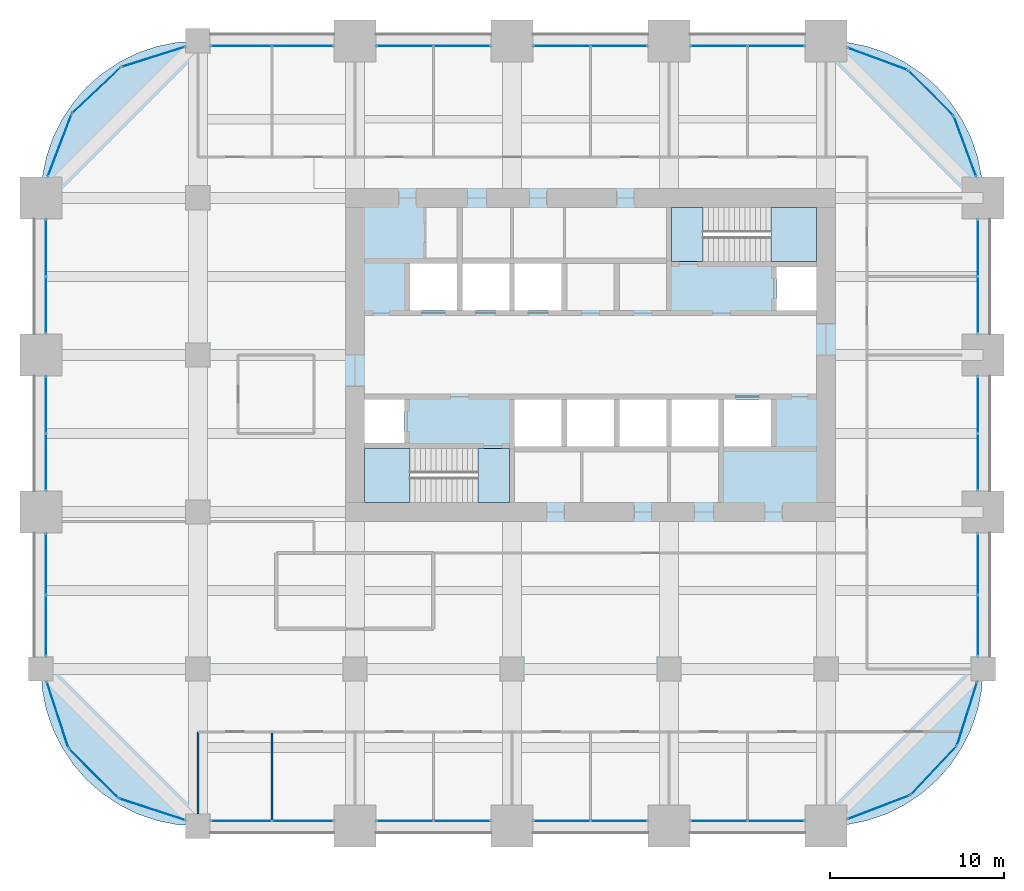
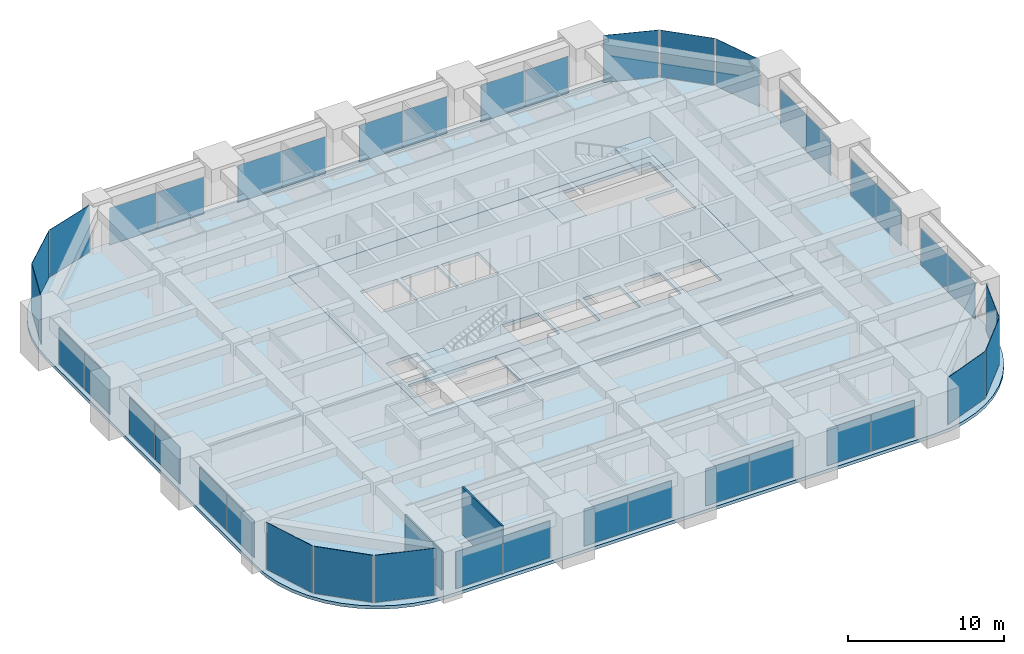
# One storey, part 28 of 33: 40 plates, 6 slabs, 2 walls, 28 elements without a shape of their own.
"""IFC4 building model written with IfcOpenShell, lengths in metres."""

from ifc_helpers import new_model, si_unit, direction, frame, frame_2d, origin, origin_2d, place, context, subcontext, project, spatial, polyline, rectangle, outline, extrude, material, layer, layer_set, type_object, element, aggregate, save


model = new_model("IFC4")

# Units and contexts
model_context = context("Model", 3, precision=1e-05, world=origin(), true_north=direction((0.0, 1.0)))
body_context = subcontext(model_context, "Body", "Model", "MODEL_VIEW")
ifc_project = project(units=[si_unit("LENGTHUNIT", "METRE"), si_unit("AREAUNIT", "SQUARE_METRE"), si_unit("VOLUMEUNIT", "CUBIC_METRE"), si_unit("PLANEANGLEUNIT", "RADIAN"), si_unit("MASSUNIT", "GRAM", prefix="KILO")], contexts=[model_context])

# Site, building, storey
site_placement = place(None, origin())
site = spatial("IfcSite", under=ifc_project, at=site_placement, CompositionType="ELEMENT")
building_placement = place(site_placement, origin())
building = spatial("IfcBuilding", under=site, at=building_placement, Name="Zorevar Civic Tower", CompositionType="ELEMENT")
storey_placement = place(building_placement, frame((0.0, 0.0, 210.199951171875)))
storey = spatial("IfcBuildingStorey", under=building, at=storey_placement, Name="L51", CompositionType="ELEMENT", Elevation=210.199951171875)

# Curtain wall, plates
ifc_material_1 = material(Name="Dark grey solar-control glass in black aluminium frame", Category="aluminium")
curtain_wall_type = type_object("IfcCurtainWallType", Name="Curtain wall CW4 high zone", PredefinedType="NOTDEFINED", material=ifc_material_1)
curtain_wall_1_placement = place(storey_placement, origin())
curtain_wall_1 = element("IfcCurtainWall", 1, at=curtain_wall_1_placement, inside=storey, type_object=curtain_wall_type, Name="CW4 L51", PredefinedType="NOTDEFINED")
ifc_material_2 = material(Name="Dark grey solar-control glass", Category="glass")
ifc_layer_1 = layer(ifc_material_2, 0.028076171875)
ifc_layer_set_1 = layer_set([ifc_layer_1], Name="CW4 panel 28")
plate_type = type_object("IfcPlateType", Name="CW4 panel 28", PredefinedType="CURTAIN_PANEL", material=ifc_layer_set_1)
plate_1_placement = place(storey_placement, frame((11.489990234375, 0.300048828125, 0.06005859375), z_axis=(0.0, 0.0, 1.0), x_axis=(1.0, 0.0, 0.0)))
plate_1 = element("IfcPlate", 2, at=plate_1_placement, type_object=plate_type, Name="CW4 panel 1.1", PredefinedType="CURTAIN_PANEL", context=body_context, shape_type="SweptSolid", body=[
    extrude(rectangle(XDim=3.4599609375, YDim=0.028076171875, at=origin_2d()), origin(), (0.0, 0.0, 1.0), 2.889892578125),
])
plate_2_placement = place(storey_placement, frame((15.010009765625, 0.300048828125, 0.06005859375), z_axis=(0.0, 0.0, 1.0), x_axis=(1.0, 0.0, 0.0)))
plate_2 = element("IfcPlate", 3, at=plate_2_placement, type_object=plate_type, Name="CW4 panel 2.1", PredefinedType="CURTAIN_PANEL", context=body_context, shape_type="SweptSolid", body=[
    extrude(rectangle(XDim=3.4599609375, YDim=0.028076171875, at=origin_2d()), origin(), (0.0, 0.0, 1.0), 2.889892578125),
])
aggregate(curtain_wall_1, [plate_1, plate_2])

curtain_wall_2_placement = place(storey_placement, origin())
curtain_wall_2 = element("IfcCurtainWall", 4, at=curtain_wall_2_placement, inside=storey, type_object=curtain_wall_type, Name="CW4 L51", PredefinedType="NOTDEFINED")
plate_3_placement = place(storey_placement, frame((11.489990234375, 44.699951171875, 0.06005859375), z_axis=(0.0, 0.0, 1.0), x_axis=(1.0, 0.0, 0.0)))
plate_3 = element("IfcPlate", 5, at=plate_3_placement, type_object=plate_type, Name="CW4 panel 1.1", PredefinedType="CURTAIN_PANEL", context=body_context, shape_type="SweptSolid", body=[
    extrude(rectangle(XDim=3.4599609375, YDim=0.028076171875, at=origin_2d()), origin(), (0.0, 0.0, 1.0), 2.889892578125),
])
plate_4_placement = place(storey_placement, frame((15.010009765625, 44.699951171875, 0.06005859375), z_axis=(0.0, 0.0, 1.0), x_axis=(1.0, 0.0, 0.0)))
plate_4 = element("IfcPlate", 6, at=plate_4_placement, type_object=plate_type, Name="CW4 panel 2.1", PredefinedType="CURTAIN_PANEL", context=body_context, shape_type="SweptSolid", body=[
    extrude(rectangle(XDim=3.4599609375, YDim=0.028076171875, at=origin_2d()), origin(), (0.0, 0.0, 1.0), 2.889892578125),
])
aggregate(curtain_wall_2, [plate_3, plate_4])

curtain_wall_3_placement = place(storey_placement, origin())
curtain_wall_3 = element("IfcCurtainWall", 7, at=curtain_wall_3_placement, inside=storey, type_object=curtain_wall_type, Name="CW4 L51", PredefinedType="NOTDEFINED")
plate_5_placement = place(storey_placement, frame((20.864990234375, 0.300048828125, 0.06005859375), z_axis=(0.0, 0.0, 1.0), x_axis=(1.0, 0.0, 0.0)))
plate_5 = element("IfcPlate", 8, at=plate_5_placement, type_object=plate_type, Name="CW4 panel 1.1", PredefinedType="CURTAIN_PANEL", context=body_context, shape_type="SweptSolid", body=[
    extrude(rectangle(XDim=3.2099609375, YDim=0.028076171875, at=origin_2d()), origin(), (0.0, 0.0, 1.0), 2.889892578125),
])
plate_6_placement = place(storey_placement, frame((24.135009765625, 0.300048828125, 0.06005859375), z_axis=(0.0, 0.0, 1.0), x_axis=(1.0, 0.0, 0.0)))
plate_6 = element("IfcPlate", 9, at=plate_6_placement, type_object=plate_type, Name="CW4 panel 2.1", PredefinedType="CURTAIN_PANEL", context=body_context, shape_type="SweptSolid", body=[
    extrude(rectangle(XDim=3.2099609375, YDim=0.028076171875, at=origin_2d()), origin(), (0.0, 0.0, 1.0), 2.889892578125),
])
aggregate(curtain_wall_3, [plate_5, plate_6])

curtain_wall_4_placement = place(storey_placement, origin())
curtain_wall_4 = element("IfcCurtainWall", 10, at=curtain_wall_4_placement, inside=storey, type_object=curtain_wall_type, Name="CW4 L51", PredefinedType="NOTDEFINED")
plate_7_placement = place(storey_placement, frame((20.864990234375, 44.699951171875, 0.06005859375), z_axis=(0.0, 0.0, 1.0), x_axis=(1.0, 0.0, 0.0)))
plate_7 = element("IfcPlate", 11, at=plate_7_placement, type_object=plate_type, Name="CW4 panel 1.1", PredefinedType="CURTAIN_PANEL", context=body_context, shape_type="SweptSolid", body=[
    extrude(rectangle(XDim=3.2099609375, YDim=0.028076171875, at=origin_2d()), origin(), (0.0, 0.0, 1.0), 2.889892578125),
])
plate_8_placement = place(storey_placement, frame((24.135009765625, 44.699951171875, 0.06005859375), z_axis=(0.0, 0.0, 1.0), x_axis=(1.0, 0.0, 0.0)))
plate_8 = element("IfcPlate", 12, at=plate_8_placement, type_object=plate_type, Name="CW4 panel 2.1", PredefinedType="CURTAIN_PANEL", context=body_context, shape_type="SweptSolid", body=[
    extrude(rectangle(XDim=3.2099609375, YDim=0.028076171875, at=origin_2d()), origin(), (0.0, 0.0, 1.0), 2.889892578125),
])
aggregate(curtain_wall_4, [plate_7, plate_8])

curtain_wall_5_placement = place(storey_placement, origin())
curtain_wall_5 = element("IfcCurtainWall", 13, at=curtain_wall_5_placement, inside=storey, type_object=curtain_wall_type, Name="CW4 L51", PredefinedType="NOTDEFINED")
plate_9_placement = place(storey_placement, frame((29.864990234375, 0.300048828125, 0.06005859375), z_axis=(0.0, 0.0, 1.0), x_axis=(1.0, 0.0, 0.0)))
plate_9 = element("IfcPlate", 14, at=plate_9_placement, type_object=plate_type, Name="CW4 panel 1.1", PredefinedType="CURTAIN_PANEL", context=body_context, shape_type="SweptSolid", body=[
    extrude(rectangle(XDim=3.2099609375, YDim=0.028076171875, at=origin_2d()), origin(), (0.0, 0.0, 1.0), 2.889892578125),
])
plate_10_placement = place(storey_placement, frame((33.135009765625, 0.300048828125, 0.06005859375), z_axis=(0.0, 0.0, 1.0), x_axis=(1.0, 0.0, 0.0)))
plate_10 = element("IfcPlate", 15, at=plate_10_placement, type_object=plate_type, Name="CW4 panel 2.1", PredefinedType="CURTAIN_PANEL", context=body_context, shape_type="SweptSolid", body=[
    extrude(rectangle(XDim=3.2099609375, YDim=0.028076171875, at=origin_2d()), origin(), (0.0, 0.0, 1.0), 2.889892578125),
])
aggregate(curtain_wall_5, [plate_9, plate_10])

curtain_wall_6_placement = place(storey_placement, origin())
curtain_wall_6 = element("IfcCurtainWall", 16, at=curtain_wall_6_placement, inside=storey, type_object=curtain_wall_type, Name="CW4 L51", PredefinedType="NOTDEFINED")
plate_11_placement = place(storey_placement, frame((29.864990234375, 44.699951171875, 0.06005859375), z_axis=(0.0, 0.0, 1.0), x_axis=(1.0, 0.0, 0.0)))
plate_11 = element("IfcPlate", 17, at=plate_11_placement, type_object=plate_type, Name="CW4 panel 1.1", PredefinedType="CURTAIN_PANEL", context=body_context, shape_type="SweptSolid", body=[
    extrude(rectangle(XDim=3.2099609375, YDim=0.028076171875, at=origin_2d()), origin(), (0.0, 0.0, 1.0), 2.889892578125),
])
plate_12_placement = place(storey_placement, frame((33.135009765625, 44.699951171875, 0.06005859375), z_axis=(0.0, 0.0, 1.0), x_axis=(1.0, 0.0, 0.0)))
plate_12 = element("IfcPlate", 18, at=plate_12_placement, type_object=plate_type, Name="CW4 panel 2.1", PredefinedType="CURTAIN_PANEL", context=body_context, shape_type="SweptSolid", body=[
    extrude(rectangle(XDim=3.2099609375, YDim=0.028076171875, at=origin_2d()), origin(), (0.0, 0.0, 1.0), 2.889892578125),
])
aggregate(curtain_wall_6, [plate_11, plate_12])

curtain_wall_7_placement = place(storey_placement, origin())
curtain_wall_7 = element("IfcCurtainWall", 19, at=curtain_wall_7_placement, inside=storey, type_object=curtain_wall_type, Name="CW4 L51", PredefinedType="NOTDEFINED")
plate_13_placement = place(storey_placement, frame((38.864990234375, 0.300048828125, 0.06005859375), z_axis=(0.0, 0.0, 1.0), x_axis=(1.0, 0.0, 0.0)))
plate_13 = element("IfcPlate", 20, at=plate_13_placement, type_object=plate_type, Name="CW4 panel 1.1", PredefinedType="CURTAIN_PANEL", context=body_context, shape_type="SweptSolid", body=[
    extrude(rectangle(XDim=3.2099609375, YDim=0.028076171875, at=origin_2d()), origin(), (0.0, 0.0, 1.0), 2.889892578125),
])
plate_14_placement = place(storey_placement, frame((42.135009765625, 0.300048828125, 0.06005859375), z_axis=(0.0, 0.0, 1.0), x_axis=(1.0, 0.0, 0.0)))
plate_14 = element("IfcPlate", 21, at=plate_14_placement, type_object=plate_type, Name="CW4 panel 2.1", PredefinedType="CURTAIN_PANEL", context=body_context, shape_type="SweptSolid", body=[
    extrude(rectangle(XDim=3.2099609375, YDim=0.028076171875, at=origin_2d()), origin(), (0.0, 0.0, 1.0), 2.889892578125),
])
aggregate(curtain_wall_7, [plate_13, plate_14])

curtain_wall_8_placement = place(storey_placement, origin())
curtain_wall_8 = element("IfcCurtainWall", 22, at=curtain_wall_8_placement, inside=storey, type_object=curtain_wall_type, Name="CW4 L51", PredefinedType="NOTDEFINED")
plate_15_placement = place(storey_placement, frame((38.864990234375, 44.699951171875, 0.06005859375), z_axis=(0.0, 0.0, 1.0), x_axis=(1.0, 0.0, 0.0)))
plate_15 = element("IfcPlate", 23, at=plate_15_placement, type_object=plate_type, Name="CW4 panel 1.1", PredefinedType="CURTAIN_PANEL", context=body_context, shape_type="SweptSolid", body=[
    extrude(rectangle(XDim=3.2099609375, YDim=0.028076171875, at=origin_2d()), origin(), (0.0, 0.0, 1.0), 2.889892578125),
])
plate_16_placement = place(storey_placement, frame((42.135009765625, 44.699951171875, 0.06005859375), z_axis=(0.0, 0.0, 1.0), x_axis=(1.0, 0.0, 0.0)))
plate_16 = element("IfcPlate", 24, at=plate_16_placement, type_object=plate_type, Name="CW4 panel 2.1", PredefinedType="CURTAIN_PANEL", context=body_context, shape_type="SweptSolid", body=[
    extrude(rectangle(XDim=3.2099609375, YDim=0.028076171875, at=origin_2d()), origin(), (0.0, 0.0, 1.0), 2.889892578125),
])
aggregate(curtain_wall_8, [plate_15, plate_16])

curtain_wall_9_placement = place(storey_placement, origin())
curtain_wall_9 = element("IfcCurtainWall", 25, at=curtain_wall_9_placement, inside=storey, type_object=curtain_wall_type, Name="CW4 L51", PredefinedType="NOTDEFINED")
plate_17_placement = place(storey_placement, frame((0.300048828125, 11.489990234375, 0.06005859375), z_axis=(0.0, 0.0, 1.0), x_axis=(0.0, 1.0, 0.0)))
plate_17 = element("IfcPlate", 26, at=plate_17_placement, type_object=plate_type, Name="CW4 panel 1.1", PredefinedType="CURTAIN_PANEL", context=body_context, shape_type="SweptSolid", body=[
    extrude(rectangle(XDim=3.4599609375, YDim=0.028076171875, at=origin_2d()), origin(), (0.0, 0.0, 1.0), 2.889892578125),
])
plate_18_placement = place(storey_placement, frame((0.300048828125, 15.010009765625, 0.06005859375), z_axis=(0.0, 0.0, 1.0), x_axis=(0.0, 1.0, 0.0)))
plate_18 = element("IfcPlate", 27, at=plate_18_placement, type_object=plate_type, Name="CW4 panel 2.1", PredefinedType="CURTAIN_PANEL", context=body_context, shape_type="SweptSolid", body=[
    extrude(rectangle(XDim=3.4599609375, YDim=0.028076171875, at=origin_2d()), origin(), (0.0, 0.0, 1.0), 2.889892578125),
])
aggregate(curtain_wall_9, [plate_17, plate_18])

curtain_wall_10_placement = place(storey_placement, origin())
curtain_wall_10 = element("IfcCurtainWall", 28, at=curtain_wall_10_placement, inside=storey, type_object=curtain_wall_type, Name="CW4 L51", PredefinedType="NOTDEFINED")
plate_19_placement = place(storey_placement, frame((53.699951171875, 11.489990234375, 0.06005859375), z_axis=(0.0, 0.0, 1.0), x_axis=(0.0, 1.0, 0.0)))
plate_19 = element("IfcPlate", 29, at=plate_19_placement, type_object=plate_type, Name="CW4 panel 1.1", PredefinedType="CURTAIN_PANEL", context=body_context, shape_type="SweptSolid", body=[
    extrude(rectangle(XDim=3.4599609375, YDim=0.028076171875, at=origin_2d()), origin(), (0.0, 0.0, 1.0), 2.889892578125),
])
plate_20_placement = place(storey_placement, frame((53.699951171875, 15.010009765625, 0.06005859375), z_axis=(0.0, 0.0, 1.0), x_axis=(0.0, 1.0, 0.0)))
plate_20 = element("IfcPlate", 30, at=plate_20_placement, type_object=plate_type, Name="CW4 panel 2.1", PredefinedType="CURTAIN_PANEL", context=body_context, shape_type="SweptSolid", body=[
    extrude(rectangle(XDim=3.4599609375, YDim=0.028076171875, at=origin_2d()), origin(), (0.0, 0.0, 1.0), 2.889892578125),
])
aggregate(curtain_wall_10, [plate_19, plate_20])

curtain_wall_11_placement = place(storey_placement, origin())
curtain_wall_11 = element("IfcCurtainWall", 31, at=curtain_wall_11_placement, inside=storey, type_object=curtain_wall_type, Name="CW4 L51", PredefinedType="NOTDEFINED")
plate_21_placement = place(storey_placement, frame((0.300048828125, 20.864990234375, 0.06005859375), z_axis=(0.0, 0.0, 1.0), x_axis=(0.0, 1.0, 0.0)))
plate_21 = element("IfcPlate", 32, at=plate_21_placement, type_object=plate_type, Name="CW4 panel 1.1", PredefinedType="CURTAIN_PANEL", context=body_context, shape_type="SweptSolid", body=[
    extrude(rectangle(XDim=3.2099609375, YDim=0.028076171875, at=origin_2d()), origin(), (0.0, 0.0, 1.0), 2.889892578125),
])
plate_22_placement = place(storey_placement, frame((0.300048828125, 24.135009765625, 0.06005859375), z_axis=(0.0, 0.0, 1.0), x_axis=(0.0, 1.0, 0.0)))
plate_22 = element("IfcPlate", 33, at=plate_22_placement, type_object=plate_type, Name="CW4 panel 2.1", PredefinedType="CURTAIN_PANEL", context=body_context, shape_type="SweptSolid", body=[
    extrude(rectangle(XDim=3.2099609375, YDim=0.028076171875, at=origin_2d()), origin(), (0.0, 0.0, 1.0), 2.889892578125),
])
aggregate(curtain_wall_11, [plate_21, plate_22])

curtain_wall_12_placement = place(storey_placement, origin())
curtain_wall_12 = element("IfcCurtainWall", 34, at=curtain_wall_12_placement, inside=storey, type_object=curtain_wall_type, Name="CW4 L51", PredefinedType="NOTDEFINED")
plate_23_placement = place(storey_placement, frame((53.699951171875, 20.864990234375, 0.06005859375), z_axis=(0.0, 0.0, 1.0), x_axis=(0.0, 1.0, 0.0)))
plate_23 = element("IfcPlate", 35, at=plate_23_placement, type_object=plate_type, Name="CW4 panel 1.1", PredefinedType="CURTAIN_PANEL", context=body_context, shape_type="SweptSolid", body=[
    extrude(rectangle(XDim=3.2099609375, YDim=0.028076171875, at=origin_2d()), origin(), (0.0, 0.0, 1.0), 2.889892578125),
])
plate_24_placement = place(storey_placement, frame((53.699951171875, 24.135009765625, 0.06005859375), z_axis=(0.0, 0.0, 1.0), x_axis=(0.0, 1.0, 0.0)))
plate_24 = element("IfcPlate", 36, at=plate_24_placement, type_object=plate_type, Name="CW4 panel 2.1", PredefinedType="CURTAIN_PANEL", context=body_context, shape_type="SweptSolid", body=[
    extrude(rectangle(XDim=3.2099609375, YDim=0.028076171875, at=origin_2d()), origin(), (0.0, 0.0, 1.0), 2.889892578125),
])
aggregate(curtain_wall_12, [plate_23, plate_24])

curtain_wall_13_placement = place(storey_placement, origin())
curtain_wall_13 = element("IfcCurtainWall", 37, at=curtain_wall_13_placement, inside=storey, type_object=curtain_wall_type, Name="CW4 L51", PredefinedType="NOTDEFINED")
plate_25_placement = place(storey_placement, frame((0.300048828125, 29.864990234375, 0.06005859375), z_axis=(0.0, 0.0, 1.0), x_axis=(0.0, 1.0, 0.0)))
plate_25 = element("IfcPlate", 38, at=plate_25_placement, type_object=plate_type, Name="CW4 panel 1.1", PredefinedType="CURTAIN_PANEL", context=body_context, shape_type="SweptSolid", body=[
    extrude(rectangle(XDim=3.2099609375, YDim=0.028076171875, at=origin_2d()), origin(), (0.0, 0.0, 1.0), 2.889892578125),
])
plate_26_placement = place(storey_placement, frame((0.300048828125, 33.135009765625, 0.06005859375), z_axis=(0.0, 0.0, 1.0), x_axis=(0.0, 1.0, 0.0)))
plate_26 = element("IfcPlate", 39, at=plate_26_placement, type_object=plate_type, Name="CW4 panel 2.1", PredefinedType="CURTAIN_PANEL", context=body_context, shape_type="SweptSolid", body=[
    extrude(rectangle(XDim=3.2099609375, YDim=0.028076171875, at=origin_2d()), origin(), (0.0, 0.0, 1.0), 2.889892578125),
])
aggregate(curtain_wall_13, [plate_25, plate_26])

curtain_wall_14_placement = place(storey_placement, origin())
curtain_wall_14 = element("IfcCurtainWall", 40, at=curtain_wall_14_placement, inside=storey, type_object=curtain_wall_type, Name="CW4 L51", PredefinedType="NOTDEFINED")
plate_27_placement = place(storey_placement, frame((53.699951171875, 29.864990234375, 0.06005859375), z_axis=(0.0, 0.0, 1.0), x_axis=(0.0, 1.0, 0.0)))
plate_27 = element("IfcPlate", 41, at=plate_27_placement, type_object=plate_type, Name="CW4 panel 1.1", PredefinedType="CURTAIN_PANEL", context=body_context, shape_type="SweptSolid", body=[
    extrude(rectangle(XDim=3.2099609375, YDim=0.028076171875, at=origin_2d()), origin(), (0.0, 0.0, 1.0), 2.889892578125),
])
plate_28_placement = place(storey_placement, frame((53.699951171875, 33.135009765625, 0.06005859375), z_axis=(0.0, 0.0, 1.0), x_axis=(0.0, 1.0, 0.0)))
plate_28 = element("IfcPlate", 42, at=plate_28_placement, type_object=plate_type, Name="CW4 panel 2.1", PredefinedType="CURTAIN_PANEL", context=body_context, shape_type="SweptSolid", body=[
    extrude(rectangle(XDim=3.2099609375, YDim=0.028076171875, at=origin_2d()), origin(), (0.0, 0.0, 1.0), 2.889892578125),
])
aggregate(curtain_wall_14, [plate_27, plate_28])

# Curtain wall, plate
curtain_wall_15_placement = place(storey_placement, origin())
curtain_wall_15 = element("IfcCurtainWall", 43, at=curtain_wall_15_placement, inside=storey, type_object=curtain_wall_type, Name="CW4 L51", PredefinedType="NOTDEFINED")
plate_29_placement = place(storey_placement, frame((48.0166015625, 1.07470703125, 0.06005859375), z_axis=(0.0, 0.0, 1.0), x_axis=(0.93458842801, 0.355730895803, 0.0)))
plate_29 = element("IfcPlate", 44, at=plate_29_placement, type_object=plate_type, Name="CW4 panel 1.1", PredefinedType="CURTAIN_PANEL", context=body_context, shape_type="SweptSolid", body=[
    extrude(rectangle(XDim=3.767333984375, YDim=0.028076171875, at=origin_2d()), origin(), (0.0, 0.0, 1.0), 3.68994140625),
])
aggregate(curtain_wall_15, [plate_29])

curtain_wall_16_placement = place(storey_placement, origin())
curtain_wall_16 = element("IfcCurtainWall", 45, at=curtain_wall_16_placement, inside=storey, type_object=curtain_wall_type, Name="CW4 L51", PredefinedType="NOTDEFINED")
plate_30_placement = place(storey_placement, frame((51.167236328125, 3.179443359375, 0.06005859375), z_axis=(0.0, 0.0, 1.0), x_axis=(0.686377907265, 0.727245053898, 0.0)))
plate_30 = element("IfcPlate", 46, at=plate_30_placement, type_object=plate_type, Name="CW4 panel 1.1", PredefinedType="CURTAIN_PANEL", context=body_context, shape_type="SweptSolid", body=[
    extrude(rectangle(XDim=3.767333984375, YDim=0.028076171875, at=origin_2d()), origin(), (0.0, 0.0, 1.0), 3.68994140625),
])
aggregate(curtain_wall_16, [plate_30])

curtain_wall_17_placement = place(storey_placement, origin())
curtain_wall_17 = element("IfcCurtainWall", 47, at=curtain_wall_17_placement, inside=storey, type_object=curtain_wall_type, Name="CW4 L51", PredefinedType="NOTDEFINED")
plate_31_placement = place(storey_placement, frame((53.08642578125, 6.446533203125, 0.06005859375), z_axis=(0.0, 0.0, 1.0), x_axis=(0.301108296077, 0.953589950678, 0.0)))
plate_31 = element("IfcPlate", 48, at=plate_31_placement, type_object=plate_type, Name="CW4 panel 1.1", PredefinedType="CURTAIN_PANEL", context=body_context, shape_type="SweptSolid", body=[
    extrude(rectangle(XDim=3.767333984375, YDim=0.028076171875, at=origin_2d()), origin(), (0.0, 0.0, 1.0), 3.68994140625),
])
aggregate(curtain_wall_17, [plate_31])

curtain_wall_18_placement = place(storey_placement, origin())
curtain_wall_18 = element("IfcCurtainWall", 49, at=curtain_wall_18_placement, inside=storey, type_object=curtain_wall_type, Name="CW4 L51", PredefinedType="NOTDEFINED")
plate_32_placement = place(storey_placement, frame((52.97119140625, 38.9462890625, 0.06005859375), z_axis=(0.0, 0.0, 1.0), x_axis=(-0.346704012033, 0.937974588163, 0.0)))
plate_32 = element("IfcPlate", 50, at=plate_32_placement, type_object=plate_type, Name="CW4 panel 1.1", PredefinedType="CURTAIN_PANEL", context=body_context, shape_type="SweptSolid", body=[
    extrude(rectangle(XDim=3.603759765625, YDim=0.028076171875, at=origin_2d()), origin(), (0.0, 0.0, 1.0), 3.68994140625),
])
aggregate(curtain_wall_18, [plate_32])

curtain_wall_19_placement = place(storey_placement, origin())
curtain_wall_19 = element("IfcCurtainWall", 51, at=curtain_wall_19_placement, inside=storey, type_object=curtain_wall_type, Name="CW4 L51", PredefinedType="NOTDEFINED")
plate_33_placement = place(storey_placement, frame((51.00927734375, 42.00927734375, 0.06005859375), z_axis=(0.0, 0.0, 1.0), x_axis=(-0.707106781187, 0.707106781187, 0.0)))
plate_33 = element("IfcPlate", 52, at=plate_33_placement, type_object=plate_type, Name="CW4 panel 1.1", PredefinedType="CURTAIN_PANEL", context=body_context, shape_type="SweptSolid", body=[
    extrude(rectangle(XDim=3.603759765625, YDim=0.028076171875, at=origin_2d()), origin(), (0.0, 0.0, 1.0), 3.68994140625),
])
aggregate(curtain_wall_19, [plate_33])

curtain_wall_20_placement = place(storey_placement, origin())
curtain_wall_20 = element("IfcCurtainWall", 53, at=curtain_wall_20_placement, inside=storey, type_object=curtain_wall_type, Name="CW4 L51", PredefinedType="NOTDEFINED")
plate_34_placement = place(storey_placement, frame((47.9462890625, 43.97119140625, 0.06005859375), z_axis=(0.0, 0.0, 1.0), x_axis=(-0.937974588163, 0.346704012033, 0.0)))
plate_34 = element("IfcPlate", 54, at=plate_34_placement, type_object=plate_type, Name="CW4 panel 1.1", PredefinedType="CURTAIN_PANEL", context=body_context, shape_type="SweptSolid", body=[
    extrude(rectangle(XDim=3.603759765625, YDim=0.028076171875, at=origin_2d()), origin(), (0.0, 0.0, 1.0), 3.68994140625),
])
aggregate(curtain_wall_20, [plate_34])

curtain_wall_21_placement = place(storey_placement, origin())
curtain_wall_21 = element("IfcCurtainWall", 55, at=curtain_wall_21_placement, inside=storey, type_object=curtain_wall_type, Name="CW4 L51", PredefinedType="NOTDEFINED")
plate_35_placement = place(storey_placement, frame((6.446533203125, 44.08642578125, 0.06005859375), z_axis=(0.0, 0.0, 1.0), x_axis=(-0.953589950678, -0.301108296077, 0.0)))
plate_35 = element("IfcPlate", 56, at=plate_35_placement, type_object=plate_type, Name="CW4 panel 1.1", PredefinedType="CURTAIN_PANEL", context=body_context, shape_type="SweptSolid", body=[
    extrude(rectangle(XDim=3.767333984375, YDim=0.028076171875, at=origin_2d()), origin(), (0.0, 0.0, 1.0), 3.68994140625),
])
aggregate(curtain_wall_21, [plate_35])

curtain_wall_22_placement = place(storey_placement, origin())
curtain_wall_22 = element("IfcCurtainWall", 57, at=curtain_wall_22_placement, inside=storey, type_object=curtain_wall_type, Name="CW4 L51", PredefinedType="NOTDEFINED")
plate_36_placement = place(storey_placement, frame((3.179443359375, 42.167236328125, 0.06005859375), z_axis=(0.0, 0.0, 1.0), x_axis=(-0.727245053898, -0.686377907265, 0.0)))
plate_36 = element("IfcPlate", 58, at=plate_36_placement, type_object=plate_type, Name="CW4 panel 1.1", PredefinedType="CURTAIN_PANEL", context=body_context, shape_type="SweptSolid", body=[
    extrude(rectangle(XDim=3.767333984375, YDim=0.028076171875, at=origin_2d()), origin(), (0.0, 0.0, 1.0), 3.68994140625),
])
aggregate(curtain_wall_22, [plate_36])

curtain_wall_23_placement = place(storey_placement, origin())
curtain_wall_23 = element("IfcCurtainWall", 59, at=curtain_wall_23_placement, inside=storey, type_object=curtain_wall_type, Name="CW4 L51", PredefinedType="NOTDEFINED")
plate_37_placement = place(storey_placement, frame((1.07470703125, 39.0166015625, 0.06005859375), z_axis=(0.0, 0.0, 1.0), x_axis=(-0.355730895803, -0.93458842801, 0.0)))
plate_37 = element("IfcPlate", 60, at=plate_37_placement, type_object=plate_type, Name="CW4 panel 1.1", PredefinedType="CURTAIN_PANEL", context=body_context, shape_type="SweptSolid", body=[
    extrude(rectangle(XDim=3.767333984375, YDim=0.028076171875, at=origin_2d()), origin(), (0.0, 0.0, 1.0), 3.68994140625),
])
aggregate(curtain_wall_23, [plate_37])

curtain_wall_24_placement = place(storey_placement, origin())
curtain_wall_24 = element("IfcCurtainWall", 61, at=curtain_wall_24_placement, inside=storey, type_object=curtain_wall_type, Name="CW4 L51", PredefinedType="NOTDEFINED")
plate_38_placement = place(storey_placement, frame((0.956787109375, 6.374755859375, 0.06005859375), z_axis=(0.0, 0.0, 1.0), x_axis=(0.310281419775, -0.950644749916, 0.0)))
plate_38 = element("IfcPlate", 62, at=plate_38_placement, type_object=plate_type, Name="CW4 panel 1.1", PredefinedType="CURTAIN_PANEL", context=body_context, shape_type="SweptSolid", body=[
    extrude(rectangle(XDim=3.9306640625, YDim=0.028076171875, at=origin_2d()), origin(), (0.0, 0.0, 1.0), 3.68994140625),
])
aggregate(curtain_wall_24, [plate_38])

curtain_wall_25_placement = place(storey_placement, origin())
curtain_wall_25 = element("IfcCurtainWall", 63, at=curtain_wall_25_placement, inside=storey, type_object=curtain_wall_type, Name="CW4 L51", PredefinedType="NOTDEFINED")
plate_39_placement = place(storey_placement, frame((3.01708984375, 3.01708984375, 0.06005859375), z_axis=(0.0, 0.0, 1.0), x_axis=(0.707106781187, -0.707106781187, 0.0)))
plate_39 = element("IfcPlate", 64, at=plate_39_placement, type_object=plate_type, Name="CW4 panel 1.1", PredefinedType="CURTAIN_PANEL", context=body_context, shape_type="SweptSolid", body=[
    extrude(rectangle(XDim=3.9306640625, YDim=0.028076171875, at=origin_2d()), origin(), (0.0, 0.0, 1.0), 3.68994140625),
])
aggregate(curtain_wall_25, [plate_39])

curtain_wall_26_placement = place(storey_placement, origin())
curtain_wall_26 = element("IfcCurtainWall", 65, at=curtain_wall_26_placement, inside=storey, type_object=curtain_wall_type, Name="CW4 L51", PredefinedType="NOTDEFINED")
plate_40_placement = place(storey_placement, frame((6.374755859375, 0.956787109375, 0.06005859375), z_axis=(0.0, 0.0, 1.0), x_axis=(0.950644749916, -0.310281419775, 0.0)))
plate_40 = element("IfcPlate", 66, at=plate_40_placement, type_object=plate_type, Name="CW4 panel 1.1", PredefinedType="CURTAIN_PANEL", context=body_context, shape_type="SweptSolid", body=[
    extrude(rectangle(XDim=3.9306640625, YDim=0.028076171875, at=origin_2d()), origin(), (0.0, 0.0, 1.0), 3.68994140625),
])
aggregate(curtain_wall_26, [plate_40])

# Slabs
ifc_material_3 = material(Name="Concrete C40/50", Category="concrete")
ifc_layer_2 = layer(ifc_material_3, 0.25)
ifc_layer_set_2 = layer_set([ifc_layer_2], Name="Floor slab 250")
slab_type_1 = type_object("IfcSlabType", Name="Floor slab 250", PredefinedType="FLOOR", material=ifc_layer_set_2)
slab_1_placement = place(storey_placement, frame((0.0, 0.0, -0.25)))
element("IfcSlab", 67, at=slab_1_placement, inside=storey, type_object=slab_type_1, Name="Floor slab L51", PredefinedType="FLOOR", context=body_context, shape_type="SweptSolid", body=[
    extrude(outline(polyline([(45.0, 0.0), (46.1748046875, 0.076904296875), (47.329345703125, 0.306640625), (48.444091796875, 0.68505859375), (49.5, 1.205810546875), (50.478759765625, 1.85986328125), (51.364013671875, 2.635986328125), (52.14013671875, 3.521240234375), (52.794189453125, 4.5), (53.31494140625, 5.555908203125), (53.693359375, 6.670654296875), (53.923095703125, 7.8251953125), (54.0, 9.0), (54.0, 36.0), (53.923095703125, 37.1748046875), (53.693359375, 38.329345703125), (53.31494140625, 39.444091796875), (52.794189453125, 40.5), (52.14013671875, 41.478759765625), (51.364013671875, 42.364013671875), (50.478759765625, 43.14013671875), (49.5, 43.794189453125), (48.444091796875, 44.31494140625), (47.329345703125, 44.693359375), (46.1748046875, 44.923095703125), (45.0, 45.0), (9.0, 45.0), (7.8251953125, 44.923095703125), (6.670654296875, 44.693359375), (5.555908203125, 44.31494140625), (4.5, 43.794189453125), (3.521240234375, 43.14013671875), (2.635986328125, 42.364013671875), (1.85986328125, 41.478759765625), (1.205810546875, 40.5), (0.68505859375, 39.444091796875), (0.306640625, 38.329345703125), (0.076904296875, 37.1748046875), (0.0, 36.0), (0.0, 9.0), (0.076904296875, 7.8251953125), (0.306640625, 6.670654296875), (0.68505859375, 5.555908203125), (1.205810546875, 4.5), (1.85986328125, 3.521240234375), (2.635986328125, 2.635986328125), (3.521240234375, 1.85986328125), (4.5, 1.205810546875), (5.555908203125, 0.68505859375), (6.670654296875, 0.306640625), (7.8251953125, 0.076904296875), (9.0, 0.0), (45.0, 0.0)]), holes=[polyline([(18.0, 18.0), (45.0, 18.0), (45.0, 36.0), (18.0, 36.0), (18.0, 18.0)])]), origin(), (0.0, 0.0, 1.0), 0.25),
])
slab_2_placement = place(storey_placement, frame((0.0, 0.0, -0.25)))
element("IfcSlab", 68, at=slab_2_placement, inside=storey, type_object=slab_type_1, Name="Core floor L51", PredefinedType="FLOOR", context=body_context, shape_type="SweptSolid", body=[
    extrude(outline(polyline([(18.0, 18.0), (45.0, 18.0), (45.0, 36.0), (18.0, 36.0), (18.0, 18.0)]), holes=[polyline([(18.550048828125, 18.550048828125), (26.85009765625, 18.550048828125), (26.85009765625, 21.64990234375), (18.550048828125, 21.64990234375), (18.550048828125, 18.550048828125)]), polyline([(36.14990234375, 32.35009765625), (44.449951171875, 32.35009765625), (44.449951171875, 35.449951171875), (36.14990234375, 35.449951171875), (36.14990234375, 32.35009765625)]), polyline([(18.550048828125, 21.949951171875), (20.85009765625, 21.949951171875), (20.85009765625, 24.449951171875), (18.550048828125, 24.449951171875), (18.550048828125, 21.949951171875)]), polyline([(42.14990234375, 29.550048828125), (44.449951171875, 29.550048828125), (44.449951171875, 32.050048828125), (42.14990234375, 32.050048828125), (42.14990234375, 29.550048828125)]), polyline([(27.14990234375, 21.75), (29.85009765625, 21.75), (29.85009765625, 24.449951171875), (27.14990234375, 24.449951171875), (27.14990234375, 21.75)]), polyline([(30.14990234375, 21.75), (32.85009765625, 21.75), (32.85009765625, 24.449951171875), (30.14990234375, 24.449951171875), (30.14990234375, 21.75)]), polyline([(33.14990234375, 21.75), (35.85009765625, 21.75), (35.85009765625, 24.449951171875), (33.14990234375, 24.449951171875), (33.14990234375, 21.75)]), polyline([(27.14990234375, 29.550048828125), (29.85009765625, 29.550048828125), (29.85009765625, 32.25), (27.14990234375, 32.25), (27.14990234375, 29.550048828125)]), polyline([(36.14990234375, 21.75), (38.85009765625, 21.75), (38.85009765625, 24.449951171875), (36.14990234375, 24.449951171875), (36.14990234375, 21.75)]), polyline([(24.14990234375, 29.550048828125), (26.85009765625, 29.550048828125), (26.85009765625, 32.25), (24.14990234375, 32.25), (24.14990234375, 29.550048828125)]), polyline([(39.14990234375, 21.75), (41.85009765625, 21.75), (41.85009765625, 24.449951171875), (39.14990234375, 24.449951171875), (39.14990234375, 21.75)]), polyline([(21.14990234375, 29.550048828125), (23.85009765625, 29.550048828125), (23.85009765625, 32.25), (21.14990234375, 32.25), (21.14990234375, 29.550048828125)])]), origin(), (0.0, 0.0, 1.0), 0.25),
])

# Stair, slabs
ifc_material_4 = material(Name="Precast concrete C40/50", Category="concrete")
stair_type = type_object("IfcStairType", Name="Stair ST 28R", PredefinedType="HALF_TURN_STAIR", material=ifc_material_4)
stair_1_placement = place(storey_placement, origin())
stair_1 = element("IfcStair", 69, at=stair_1_placement, inside=storey, type_object=stair_type, Name="Stair ST1 L51", PredefinedType="HALF_TURN_STAIR")
ifc_material_5 = material(Name="Concrete C40/50", Category="concrete")
ifc_layer_3 = layer(ifc_material_5, 0.199951171875)
ifc_layer_set_3 = layer_set([ifc_layer_3], Name="Stair landing 200")
slab_type_2 = type_object("IfcSlabType", Name="Stair landing 200", PredefinedType="LANDING", material=ifc_layer_set_3)
slab_3_placement = place(storey_placement, frame((0.0, 0.0, -0.199951171875)))
slab_3 = element("IfcSlab", 70, at=slab_3_placement, type_object=slab_type_2, Name="ST1 landing 1", PredefinedType="LANDING", context=body_context, shape_type="SweptSolid", body=[
    extrude(outline(polyline([(25.050048828125, 18.550048828125), (26.85009765625, 18.550048828125), (26.85009765625, 21.64990234375), (25.050048828125, 21.64990234375), (25.050048828125, 18.550048828125)])), origin(), (0.0, 0.0, 1.0), 0.199951171875),
])
slab_4_placement = place(storey_placement, frame((0.0, 0.0, 1.800048828125)))
slab_4 = element("IfcSlab", 71, at=slab_4_placement, type_object=slab_type_2, Name="ST1 landing 2", PredefinedType="LANDING", context=body_context, shape_type="SweptSolid", body=[
    extrude(outline(polyline([(18.550048828125, 18.550048828125), (21.14990234375, 18.550048828125), (21.14990234375, 21.64990234375), (18.550048828125, 21.64990234375), (18.550048828125, 18.550048828125)])), origin(), (0.0, 0.0, 1.0), 0.199951171875),
])
aggregate(stair_1, [slab_3, slab_4])

stair_2_placement = place(storey_placement, origin())
stair_2 = element("IfcStair", 72, at=stair_2_placement, inside=storey, type_object=stair_type, Name="Stair ST2 L51", PredefinedType="HALF_TURN_STAIR")
slab_5_placement = place(storey_placement, frame((0.0, 0.0, -0.199951171875)))
slab_5 = element("IfcSlab", 73, at=slab_5_placement, type_object=slab_type_2, Name="ST2 landing 1", PredefinedType="LANDING", context=body_context, shape_type="SweptSolid", body=[
    extrude(outline(polyline([(37.949951171875, 32.35009765625), (36.14990234375, 32.35009765625), (36.14990234375, 35.449951171875), (37.949951171875, 35.449951171875), (37.949951171875, 32.35009765625)])), origin(), (0.0, 0.0, 1.0), 0.199951171875),
])
slab_6_placement = place(storey_placement, frame((0.0, 0.0, 1.800048828125)))
slab_6 = element("IfcSlab", 74, at=slab_6_placement, type_object=slab_type_2, Name="ST2 landing 2", PredefinedType="LANDING", context=body_context, shape_type="SweptSolid", body=[
    extrude(outline(polyline([(44.449951171875, 32.35009765625), (41.85009765625, 32.35009765625), (41.85009765625, 35.449951171875), (44.449951171875, 35.449951171875), (44.449951171875, 32.35009765625)])), origin(), (0.0, 0.0, 1.0), 0.199951171875),
])
aggregate(stair_2, [slab_5, slab_6])

# Walls
ifc_material_6 = material(Name="Gypsum board on steel studs", Category="steel")
ifc_layer_4 = layer(ifc_material_6, 0.1201171875)
ifc_layer_set_4 = layer_set([ifc_layer_4], Name="Partition 120")
wall_type = type_object("IfcWallType", Name="Partition 120", PredefinedType="PARTITIONING", material=ifc_layer_set_4)
wall_1_placement = place(storey_placement, frame((9.0, 0.699951171875, 0.0), z_axis=(0.0, 0.0, 1.0), x_axis=(0.0, 1.0, 0.0)))
element("IfcWall", 75, at=wall_1_placement, inside=storey, type_object=wall_type, Name="Partition 120 L51", PredefinedType="PARTITIONING", context=body_context, shape_type="SweptSolid", body=[
    extrude(rectangle(XDim=4.699951171875, YDim=0.1201171875, at=frame_2d((2.35009765625, 0.0))), origin(), (0.0, 0.0, 1.0), 3.050048828125),
])
wall_2_placement = place(storey_placement, frame((13.25, 0.31005859375, 0.0), z_axis=(0.0, 0.0, 1.0), x_axis=(0.0, 1.0, 0.0)))
element("IfcWall", 76, at=wall_2_placement, inside=storey, type_object=wall_type, Name="Partition 120 L51", PredefinedType="PARTITIONING", context=body_context, shape_type="SweptSolid", body=[
    extrude(rectangle(XDim=5.08984375, YDim=0.1201171875, at=frame_2d((2.544921875, 0.0))), origin(), (0.0, 0.0, 1.0), 3.75),
])

save(model, "model.ifc")
